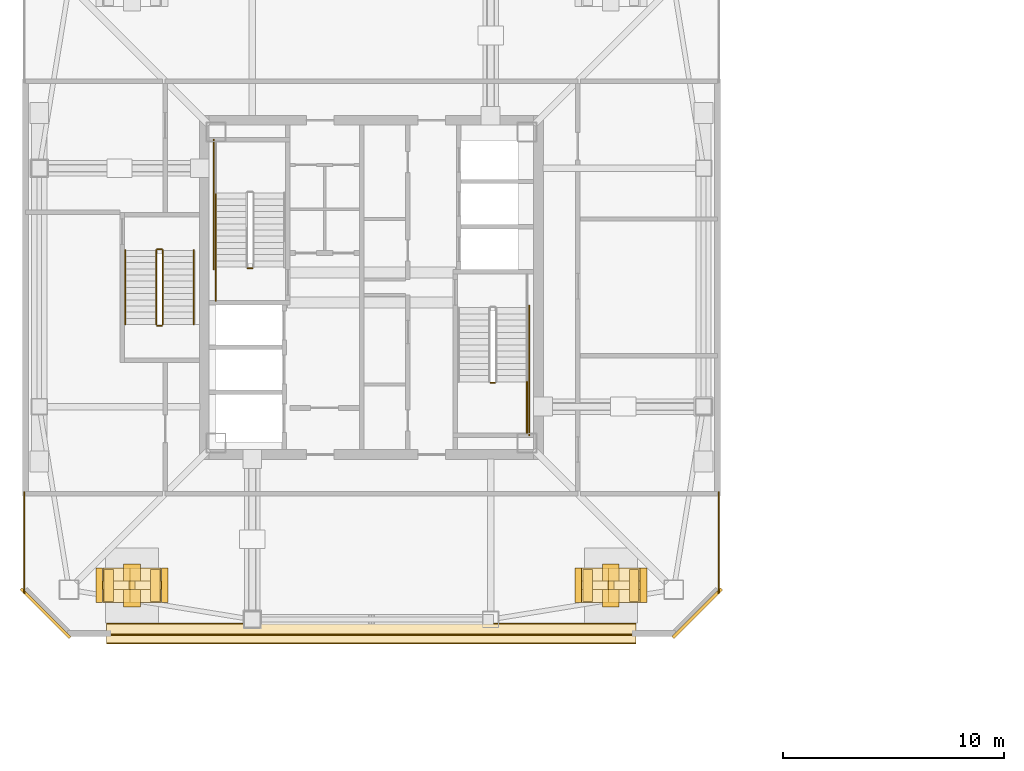
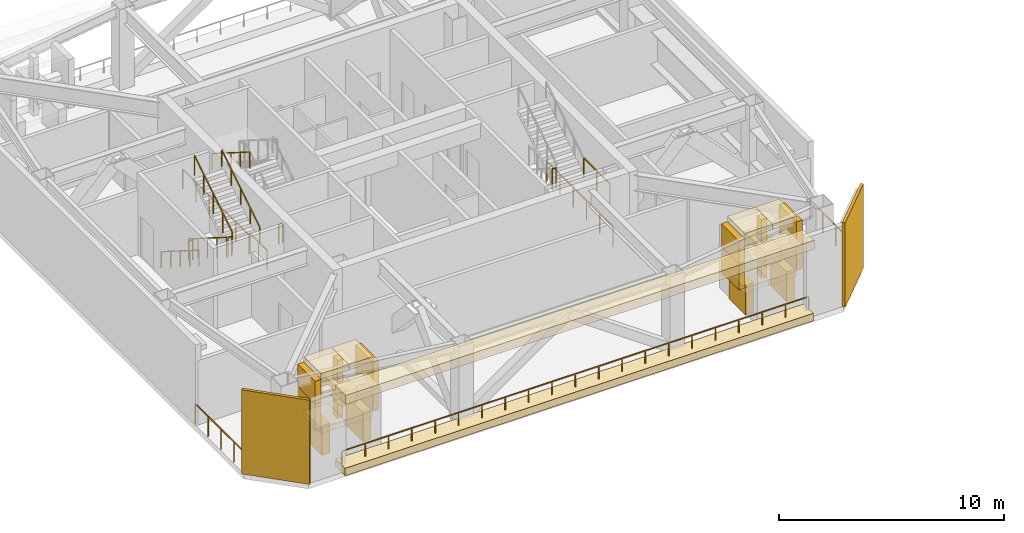
# One storey, part 10 of 15: 30 coverings, 16 railings.
"""IFC4 building model written with IfcOpenShell, lengths in metres."""

from ifc_helpers import new_model, si_unit, direction, frame, origin, origin_2d, place, context, subcontext, project, spatial, rectangle, extrude, material, layer, layer_set, type_object, element, save


model = new_model("IFC4")

# Units and contexts
model_context = context("Model", 3, precision=1e-05, world=origin(), true_north=direction((0.0, 1.0)))
body_context = subcontext(model_context, "Body", "Model", "MODEL_VIEW")
ifc_project = project(units=[si_unit("LENGTHUNIT", "METRE"), si_unit("AREAUNIT", "SQUARE_METRE"), si_unit("VOLUMEUNIT", "CUBIC_METRE"), si_unit("PLANEANGLEUNIT", "RADIAN"), si_unit("MASSUNIT", "GRAM", prefix="KILO")], contexts=[model_context])

# Site, building, storey
site_placement = place(None, origin())
site = spatial("IfcSite", under=ifc_project, at=site_placement, CompositionType="ELEMENT")
building_placement = place(site_placement, origin())
building = spatial("IfcBuilding", under=site, at=building_placement, Name="Tashvorn Skyway Center", CompositionType="ELEMENT")
storey_placement = place(building_placement, frame((0.0, 0.0, 246.800048828125)))
storey = spatial("IfcBuildingStorey", under=building, at=storey_placement, Name="L67", CompositionType="ELEMENT", Elevation=246.800048828125)

# Coverings
ifc_material_1 = material(Name="Perforated ceramic-coated bronze aluminium solar screen", Category="aluminium")
ifc_layer_1 = layer(ifc_material_1, 0.260009765625)
ifc_layer_set_1 = layer_set([ifc_layer_1], Name="Perforated ceramic-coated bronze aluminium solar screen")
covering_type_1 = type_object("IfcCoveringType", Name="COV-CROWN-SCREEN", PredefinedType="CLADDING", material=ifc_layer_set_1)
covering_1_placement = place(storey_placement, frame((32.628173828125, 18.5, 2.752197265625), z_axis=(0.0, 0.0, 1.0), x_axis=(1.0, 0.0, 0.0)))
element("IfcCovering", 1, at=covering_1_placement, inside=storey, type_object=covering_type_1, Name="Tower 1 L67 Wind Turbine 1 Venturi Shroud Facet 1", PredefinedType="CLADDING", context=body_context, shape_type="SweptSolid", body=[
    extrude(rectangle(XDim=0.300048828125, YDim=1.550048828125, at=origin_2d()), origin(), (0.0, 0.0, 1.0), 1.419921875),
])
for number, where, z_axis, x_axis, name in (
    (2, (31.76220703125, 18.5, 4.17822265625), (0.0, 0.0, 1.0), (1.0, 0.0, 0.0), "Tower 1 L67 Wind Turbine 1 Venturi Shroud Facet 2"),
    (3, (30.53759765625, 18.5, 4.17822265625), (0.0, 0.0, 1.0), (1.0, 0.0, 0.0), "Tower 1 L67 Wind Turbine 1 Venturi Shroud Facet 3"),
):
    element("IfcCovering", number, at=place(storey_placement, frame(where, z_axis=z_axis, x_axis=x_axis)), inside=storey, type_object=covering_type_1, Name=name, PredefinedType="CLADDING", context=body_context, shape_type="SweptSolid", body=[
        extrude(rectangle(XDim=1.419921875, YDim=1.550048828125, at=origin_2d()), origin(), (0.0, 0.0, 1.0), 0.300048828125),
    ])
for number, where, z_axis, x_axis, name in (
    (4, (29.671875, 18.5, 2.752197265625), (0.0, 0.0, 1.0), (1.0, 0.0, 0.0), "Tower 1 L67 Wind Turbine 1 Venturi Shroud Facet 4"),
    (5, (29.671875, 18.5, 1.527587890625), (0.0, 0.0, 1.0), (1.0, 0.0, 0.0), "Tower 1 L67 Wind Turbine 1 Venturi Shroud Facet 5"),
):
    element("IfcCovering", number, at=place(storey_placement, frame(where, z_axis=z_axis, x_axis=x_axis)), inside=storey, type_object=covering_type_1, Name=name, PredefinedType="CLADDING", context=body_context, shape_type="SweptSolid", body=[
        extrude(rectangle(XDim=0.300048828125, YDim=1.550048828125, at=origin_2d()), origin(), (0.0, 0.0, 1.0), 1.419921875),
    ])
for number, where, z_axis, x_axis, name in (
    (6, (30.53759765625, 18.5, 1.2216796875), (0.0, 0.0, 1.0), (1.0, 0.0, 0.0), "Tower 1 L67 Wind Turbine 1 Venturi Shroud Facet 6"),
    (7, (31.76220703125, 18.5, 1.2216796875), (0.0, 0.0, 1.0), (1.0, 0.0, 0.0), "Tower 1 L67 Wind Turbine 1 Venturi Shroud Facet 7"),
):
    element("IfcCovering", number, at=place(storey_placement, frame(where, z_axis=z_axis, x_axis=x_axis)), inside=storey, type_object=covering_type_1, Name=name, PredefinedType="CLADDING", context=body_context, shape_type="SweptSolid", body=[
        extrude(rectangle(XDim=1.419921875, YDim=1.550048828125, at=origin_2d()), origin(), (0.0, 0.0, 1.0), 0.300048828125),
    ])
covering_2_placement = place(storey_placement, frame((32.628173828125, 18.5, 1.527587890625), z_axis=(0.0, 0.0, 1.0), x_axis=(1.0, 0.0, 0.0)))
element("IfcCovering", 8, at=covering_2_placement, inside=storey, type_object=covering_type_1, Name="Tower 1 L67 Wind Turbine 1 Venturi Shroud Facet 8", PredefinedType="CLADDING", context=body_context, shape_type="SweptSolid", body=[
    extrude(rectangle(XDim=0.300048828125, YDim=1.550048828125, at=origin_2d()), origin(), (0.0, 0.0, 1.0), 1.419921875),
])
covering_3_placement = place(storey_placement, frame((31.14990234375, 18.5, 1.27001953125), z_axis=(0.0, 0.0, 1.0), x_axis=(1.0, 0.0, 0.0)))
element("IfcCovering", 9, at=covering_3_placement, inside=storey, type_object=covering_type_1, Name="Tower 1 L67 Wind Turbine 1 Vertical Rotor Blades", PredefinedType="CLADDING", context=body_context, shape_type="SweptSolid", body=[
    extrude(rectangle(XDim=0.280029296875, YDim=0.39990234375, at=origin_2d()), origin(), (0.0, 0.0, 1.0), 3.159912109375),
])
covering_4_placement = place(storey_placement, frame((31.14990234375, 18.5, 2.7099609375), z_axis=(0.0, 0.0, 1.0), x_axis=(1.0, 0.0, 0.0)))
element("IfcCovering", 10, at=covering_4_placement, inside=storey, type_object=covering_type_1, Name="Tower 1 L67 Wind Turbine 1 Horizontal Rotor Blades", PredefinedType="CLADDING", context=body_context, shape_type="SweptSolid", body=[
    extrude(rectangle(XDim=3.159912109375, YDim=0.39990234375, at=origin_2d()), origin(), (0.0, 0.0, 1.0), 0.280029296875),
])
covering_5_placement = place(storey_placement, frame((54.328125, 18.5, 2.752197265625), z_axis=(0.0, 0.0, 1.0), x_axis=(1.0, 0.0, 0.0)))
element("IfcCovering", 11, at=covering_5_placement, inside=storey, type_object=covering_type_1, Name="Tower 1 L67 Wind Turbine 2 Venturi Shroud Facet 1", PredefinedType="CLADDING", context=body_context, shape_type="SweptSolid", body=[
    extrude(rectangle(XDim=0.300048828125, YDim=1.550048828125, at=origin_2d()), origin(), (0.0, 0.0, 1.0), 1.419921875),
])
for number, where, z_axis, x_axis, name in (
    (12, (53.46240234375, 18.5, 4.17822265625), (0.0, 0.0, 1.0), (1.0, 0.0, 0.0), "Tower 1 L67 Wind Turbine 2 Venturi Shroud Facet 2"),
    (13, (52.23779296875, 18.5, 4.17822265625), (0.0, 0.0, 1.0), (1.0, 0.0, 0.0), "Tower 1 L67 Wind Turbine 2 Venturi Shroud Facet 3"),
):
    element("IfcCovering", number, at=place(storey_placement, frame(where, z_axis=z_axis, x_axis=x_axis)), inside=storey, type_object=covering_type_1, Name=name, PredefinedType="CLADDING", context=body_context, shape_type="SweptSolid", body=[
        extrude(rectangle(XDim=1.419921875, YDim=1.550048828125, at=origin_2d()), origin(), (0.0, 0.0, 1.0), 0.300048828125),
    ])
for number, where, z_axis, x_axis, name in (
    (14, (51.371826171875, 18.5, 2.752197265625), (0.0, 0.0, 1.0), (1.0, 0.0, 0.0), "Tower 1 L67 Wind Turbine 2 Venturi Shroud Facet 4"),
    (15, (51.371826171875, 18.5, 1.527587890625), (0.0, 0.0, 1.0), (1.0, 0.0, 0.0), "Tower 1 L67 Wind Turbine 2 Venturi Shroud Facet 5"),
):
    element("IfcCovering", number, at=place(storey_placement, frame(where, z_axis=z_axis, x_axis=x_axis)), inside=storey, type_object=covering_type_1, Name=name, PredefinedType="CLADDING", context=body_context, shape_type="SweptSolid", body=[
        extrude(rectangle(XDim=0.300048828125, YDim=1.550048828125, at=origin_2d()), origin(), (0.0, 0.0, 1.0), 1.419921875),
    ])
for number, where, z_axis, x_axis, name in (
    (16, (52.23779296875, 18.5, 1.2216796875), (0.0, 0.0, 1.0), (1.0, 0.0, 0.0), "Tower 1 L67 Wind Turbine 2 Venturi Shroud Facet 6"),
    (17, (53.46240234375, 18.5, 1.2216796875), (0.0, 0.0, 1.0), (1.0, 0.0, 0.0), "Tower 1 L67 Wind Turbine 2 Venturi Shroud Facet 7"),
):
    element("IfcCovering", number, at=place(storey_placement, frame(where, z_axis=z_axis, x_axis=x_axis)), inside=storey, type_object=covering_type_1, Name=name, PredefinedType="CLADDING", context=body_context, shape_type="SweptSolid", body=[
        extrude(rectangle(XDim=1.419921875, YDim=1.550048828125, at=origin_2d()), origin(), (0.0, 0.0, 1.0), 0.300048828125),
    ])
covering_6_placement = place(storey_placement, frame((54.328125, 18.5, 1.527587890625), z_axis=(0.0, 0.0, 1.0), x_axis=(1.0, 0.0, 0.0)))
element("IfcCovering", 18, at=covering_6_placement, inside=storey, type_object=covering_type_1, Name="Tower 1 L67 Wind Turbine 2 Venturi Shroud Facet 8", PredefinedType="CLADDING", context=body_context, shape_type="SweptSolid", body=[
    extrude(rectangle(XDim=0.300048828125, YDim=1.550048828125, at=origin_2d()), origin(), (0.0, 0.0, 1.0), 1.419921875),
])
covering_7_placement = place(storey_placement, frame((52.85009765625, 18.5, 1.27001953125), z_axis=(0.0, 0.0, 1.0), x_axis=(1.0, 0.0, 0.0)))
element("IfcCovering", 19, at=covering_7_placement, inside=storey, type_object=covering_type_1, Name="Tower 1 L67 Wind Turbine 2 Vertical Rotor Blades", PredefinedType="CLADDING", context=body_context, shape_type="SweptSolid", body=[
    extrude(rectangle(XDim=0.280029296875, YDim=0.39990234375, at=origin_2d()), origin(), (0.0, 0.0, 1.0), 3.159912109375),
])
covering_8_placement = place(storey_placement, frame((52.85009765625, 18.5, 2.7099609375), z_axis=(0.0, 0.0, 1.0), x_axis=(1.0, 0.0, 0.0)))
element("IfcCovering", 20, at=covering_8_placement, inside=storey, type_object=covering_type_1, Name="Tower 1 L67 Wind Turbine 2 Horizontal Rotor Blades", PredefinedType="CLADDING", context=body_context, shape_type="SweptSolid", body=[
    extrude(rectangle(XDim=3.159912109375, YDim=0.39990234375, at=origin_2d()), origin(), (0.0, 0.0, 1.0), 0.280029296875),
])
ifc_material_2 = material(Name="Precast concrete C40/50", Category="concrete")
ifc_layer_2 = layer(ifc_material_2, 0.35009765625)
ifc_layer_set_2 = layer_set([ifc_layer_2], Name="Precast concrete C40/50")
covering_type_2 = type_object("IfcCoveringType", Name="COV-STONE-TRIM", PredefinedType="CLADDING", material=ifc_layer_set_2)
covering_9_placement = place(storey_placement, frame((42.0, 16.320068359375, 3.89990234375), z_axis=(0.0, 0.0, 1.0), x_axis=(-1.0, 0.0, 0.0)))
element("IfcCovering", 21, at=covering_9_placement, inside=storey, type_object=covering_type_2, Name="Tower 1 L67 South Venturi Terracotta Upper Cowl", PredefinedType="CLADDING", context=body_context, shape_type="SweptSolid", body=[
    extrude(rectangle(XDim=24.0, YDim=0.949951171875, at=origin_2d()), origin(), (0.0, 0.0, 1.0), 0.47998046875),
])
covering_10_placement = place(storey_placement, frame((42.0, 16.320068359375, 0.0), z_axis=(0.0, 0.0, 1.0), x_axis=(-1.0, 0.0, 0.0)))
element("IfcCovering", 22, at=covering_10_placement, inside=storey, type_object=covering_type_2, Name="Tower 1 L67 South Venturi Limestone Sill Cowl", PredefinedType="CLADDING", context=body_context, shape_type="SweptSolid", body=[
    extrude(rectangle(XDim=24.0, YDim=0.85009765625, at=origin_2d()), origin(), (0.0, 0.0, 1.0), 0.39990234375),
])
for number, where, z_axis, x_axis, name in (
    (23, (27.22998046875, 17.22998046875, 0.02001953125), (0.0, 0.0, 1.0), (-0.707106781187, 0.707106781187, 0.0), "Tower 1 L67 SW Mojave Limestone Corner Quoin"),
    (24, (56.77001953125, 17.22998046875, 0.02001953125), (0.0, 0.0, 1.0), (0.707106781187, 0.707106781187, 0.0), "Tower 1 L67 SE Mojave Limestone Corner Quoin"),
):
    element("IfcCovering", number, at=place(storey_placement, frame(where, z_axis=z_axis, x_axis=x_axis)), inside=storey, type_object=covering_type_2, Name=name, PredefinedType="CLADDING", context=body_context, shape_type="SweptSolid", body=[
        extrude(rectangle(XDim=3.1298828125, YDim=0.139892578125, at=origin_2d()), origin(), (0.0, 0.0, 1.0), 4.56005859375),
    ])
for number, where, z_axis, x_axis, name in (
    (25, (30.10009765625, 18.5, 0.0), (0.0, 0.0, 1.0), (1.0, 0.0, 0.0), "Tower 1 L67 Wind Turbine 1 Support Cradle 1"),
    (26, (32.199951171875, 18.5, 0.0), (0.0, 0.0, 1.0), (1.0, 0.0, 0.0), "Tower 1 L67 Wind Turbine 1 Support Cradle 2"),
):
    element("IfcCovering", number, at=place(storey_placement, frame(where, z_axis=z_axis, x_axis=x_axis)), inside=storey, type_object=covering_type_2, Name=name, PredefinedType="CLADDING", context=body_context, shape_type="SweptSolid", body=[
        extrude(rectangle(XDim=0.419921875, YDim=1.449951171875, at=origin_2d()), origin(), (0.0, 0.0, 1.0), 1.60009765625),
    ])
covering_11_placement = place(storey_placement, frame((31.14990234375, 18.5, 2.4697265625), z_axis=(0.0, 0.0, 1.0), x_axis=(1.0, 0.0, 0.0)))
element("IfcCovering", 27, at=covering_11_placement, inside=storey, type_object=covering_type_2, Name="Tower 1 L67 Wind Turbine 1 Nacelle Hub", PredefinedType="CLADDING", context=body_context, shape_type="SweptSolid", body=[
    extrude(rectangle(XDim=0.760009765625, YDim=1.949951171875, at=origin_2d()), origin(), (0.0, 0.0, 1.0), 0.760009765625),
])
for number, where, z_axis, x_axis, name in (
    (28, (51.800048828125, 18.5, 0.0), (0.0, 0.0, 1.0), (1.0, 0.0, 0.0), "Tower 1 L67 Wind Turbine 2 Support Cradle 1"),
    (29, (53.89990234375, 18.5, 0.0), (0.0, 0.0, 1.0), (1.0, 0.0, 0.0), "Tower 1 L67 Wind Turbine 2 Support Cradle 2"),
):
    element("IfcCovering", number, at=place(storey_placement, frame(where, z_axis=z_axis, x_axis=x_axis)), inside=storey, type_object=covering_type_2, Name=name, PredefinedType="CLADDING", context=body_context, shape_type="SweptSolid", body=[
        extrude(rectangle(XDim=0.419921875, YDim=1.449951171875, at=origin_2d()), origin(), (0.0, 0.0, 1.0), 1.60009765625),
    ])
covering_12_placement = place(storey_placement, frame((52.85009765625, 18.5, 2.4697265625), z_axis=(0.0, 0.0, 1.0), x_axis=(1.0, 0.0, 0.0)))
element("IfcCovering", 30, at=covering_12_placement, inside=storey, type_object=covering_type_2, Name="Tower 1 L67 Wind Turbine 2 Nacelle Hub", PredefinedType="CLADDING", context=body_context, shape_type="SweptSolid", body=[
    extrude(rectangle(XDim=0.760009765625, YDim=1.949951171875, at=origin_2d()), origin(), (0.0, 0.0, 1.0), 0.760009765625),
])

# Railings
ifc_material_3 = material(Name="Galvanized steel S355", Category="steel")
railing_type_1 = type_object("IfcRailingType", Name="RAIL-GUARD-1120", PredefinedType="GUARDRAIL", material=ifc_material_3)
railing_1_placement = place(storey_placement, frame((53.9599609375, 16.260009765625, 0.0)))
element("IfcRailing", 31, at=railing_1_placement, inside=storey, type_object=railing_type_1, Name="L67 Tower 1 L67 Wind Slot Guardrail 01", PredefinedType="GUARDRAIL", context=body_context, shape_type="SweptSolid", body=[
    extrude(rectangle(XDim=0.048095703125, YDim=0.048095703125, at=origin_2d()), frame((0.0, 0.0, 1.09619140625), z_axis=(-1.0, 0.0, 0.0), x_axis=(0.0, -1.0, 0.0)), (0.0, 0.0, 1.0), 23.919921875),
    extrude(rectangle(XDim=0.0419921875, YDim=0.0419921875, at=origin_2d()), origin(), (0.0, 0.0, 1.0), 1.072021484375),
    extrude(rectangle(XDim=0.0419921875, YDim=0.0419921875, at=origin_2d()), frame((-1.196044921875, 0.0, 0.0)), (0.0, 0.0, 1.0), 1.072021484375),
    extrude(rectangle(XDim=0.0419921875, YDim=0.0419921875, at=origin_2d()), frame((-2.39208984375, 0.0, 0.0)), (0.0, 0.0, 1.0), 1.072021484375),
    extrude(rectangle(XDim=0.0419921875, YDim=0.0419921875, at=origin_2d()), frame((-3.587890625, 0.0, 0.0)), (0.0, 0.0, 1.0), 1.072021484375),
    extrude(rectangle(XDim=0.0419921875, YDim=0.0419921875, at=origin_2d()), frame((-4.783935546875, 0.0, 0.0)), (0.0, 0.0, 1.0), 1.072021484375),
    extrude(rectangle(XDim=0.0419921875, YDim=0.0419921875, at=origin_2d()), frame((-5.97998046875, 0.0, 0.0)), (0.0, 0.0, 1.0), 1.072021484375),
    extrude(rectangle(XDim=0.0419921875, YDim=0.0419921875, at=origin_2d()), frame((-7.176025390625, 0.0, 0.0)), (0.0, 0.0, 1.0), 1.072021484375),
    extrude(rectangle(XDim=0.0419921875, YDim=0.0419921875, at=origin_2d()), frame((-8.3720703125, 0.0, 0.0)), (0.0, 0.0, 1.0), 1.072021484375),
    extrude(rectangle(XDim=0.0419921875, YDim=0.0419921875, at=origin_2d()), frame((-9.56787109375, 0.0, 0.0)), (0.0, 0.0, 1.0), 1.072021484375),
    extrude(rectangle(XDim=0.0419921875, YDim=0.0419921875, at=origin_2d()), frame((-10.763916015625, 0.0, 0.0)), (0.0, 0.0, 1.0), 1.072021484375),
    extrude(rectangle(XDim=0.0419921875, YDim=0.0419921875, at=origin_2d()), frame((-11.9599609375, 0.0, 0.0)), (0.0, 0.0, 1.0), 1.072021484375),
    extrude(rectangle(XDim=0.0419921875, YDim=0.0419921875, at=origin_2d()), frame((-13.156005859375, 0.0, 0.0)), (0.0, 0.0, 1.0), 1.072021484375),
    extrude(rectangle(XDim=0.0419921875, YDim=0.0419921875, at=origin_2d()), frame((-14.35205078125, 0.0, 0.0)), (0.0, 0.0, 1.0), 1.072021484375),
    extrude(rectangle(XDim=0.0419921875, YDim=0.0419921875, at=origin_2d()), frame((-15.5478515625, 0.0, 0.0)), (0.0, 0.0, 1.0), 1.072021484375),
    extrude(rectangle(XDim=0.0419921875, YDim=0.0419921875, at=origin_2d()), frame((-16.743896484375, 0.0, 0.0)), (0.0, 0.0, 1.0), 1.072021484375),
    extrude(rectangle(XDim=0.0419921875, YDim=0.0419921875, at=origin_2d()), frame((-17.93994140625, 0.0, 0.0)), (0.0, 0.0, 1.0), 1.072021484375),
    extrude(rectangle(XDim=0.0419921875, YDim=0.0419921875, at=origin_2d()), frame((-19.135986328125, 0.0, 0.0)), (0.0, 0.0, 1.0), 1.072021484375),
    extrude(rectangle(XDim=0.0419921875, YDim=0.0419921875, at=origin_2d()), frame((-20.33203125, 0.0, 0.0)), (0.0, 0.0, 1.0), 1.072021484375),
    extrude(rectangle(XDim=0.0419921875, YDim=0.0419921875, at=origin_2d()), frame((-21.52783203125, 0.0, 0.0)), (0.0, 0.0, 1.0), 1.072021484375),
    extrude(rectangle(XDim=0.0419921875, YDim=0.0419921875, at=origin_2d()), frame((-22.723876953125, 0.0, 0.0)), (0.0, 0.0, 1.0), 1.072021484375),
    extrude(rectangle(XDim=0.0419921875, YDim=0.0419921875, at=origin_2d()), frame((-23.919921875, 0.0, 0.0)), (0.0, 0.0, 1.0), 1.072021484375),
])
railing_2_placement = place(storey_placement, frame((26.260009765625, 18.139892578125, 0.0)))
element("IfcRailing", 32, at=railing_2_placement, inside=storey, type_object=railing_type_1, Name="L67 Tower 1 L67 Breezeway Guardrail A 01", PredefinedType="GUARDRAIL", context=body_context, shape_type="SweptSolid", body=[
    extrude(rectangle(XDim=0.048095703125, YDim=0.048095703125, at=origin_2d()), frame((0.0, 0.0, 1.09619140625), z_axis=(0.0, 1.0, 0.0), x_axis=(-1.0, 0.0, 0.0)), (0.0, 0.0, 1.0), 4.570068359375),
    extrude(rectangle(XDim=0.0419921875, YDim=0.0419921875, at=origin_2d()), origin(), (0.0, 0.0, 1.0), 1.072021484375),
    extrude(rectangle(XDim=0.0419921875, YDim=0.0419921875, at=origin_2d()), frame((0.0, 1.142578125, 0.0)), (0.0, 0.0, 1.0), 1.072021484375),
    extrude(rectangle(XDim=0.0419921875, YDim=0.0419921875, at=origin_2d()), frame((0.0, 2.28515625, 0.0)), (0.0, 0.0, 1.0), 1.072021484375),
    extrude(rectangle(XDim=0.0419921875, YDim=0.0419921875, at=origin_2d()), frame((0.0, 3.427490234375, 0.0)), (0.0, 0.0, 1.0), 1.072021484375),
    extrude(rectangle(XDim=0.0419921875, YDim=0.0419921875, at=origin_2d()), frame((0.0, 4.570068359375, 0.0)), (0.0, 0.0, 1.0), 1.072021484375),
])
railing_3_placement = place(storey_placement, frame((57.739990234375, 22.7099609375, 0.0)))
element("IfcRailing", 33, at=railing_3_placement, inside=storey, type_object=railing_type_1, Name="L67 Tower 1 L67 Breezeway Guardrail B 01", PredefinedType="GUARDRAIL", context=body_context, shape_type="SweptSolid", body=[
    extrude(rectangle(XDim=0.048095703125, YDim=0.048095703125, at=origin_2d()), frame((0.0, 0.0, 1.09619140625), z_axis=(0.0, -1.0, 0.0), x_axis=(1.0, 0.0, 0.0)), (0.0, 0.0, 1.0), 4.570068359375),
    extrude(rectangle(XDim=0.0419921875, YDim=0.0419921875, at=origin_2d()), origin(), (0.0, 0.0, 1.0), 1.072021484375),
    extrude(rectangle(XDim=0.0419921875, YDim=0.0419921875, at=origin_2d()), frame((0.0, -1.142578125, 0.0)), (0.0, 0.0, 1.0), 1.072021484375),
    extrude(rectangle(XDim=0.0419921875, YDim=0.0419921875, at=origin_2d()), frame((0.0, -2.28515625, 0.0)), (0.0, 0.0, 1.0), 1.072021484375),
    extrude(rectangle(XDim=0.0419921875, YDim=0.0419921875, at=origin_2d()), frame((0.0, -3.427490234375, 0.0)), (0.0, 0.0, 1.0), 1.072021484375),
    extrude(rectangle(XDim=0.0419921875, YDim=0.0419921875, at=origin_2d()), frame((0.0, -4.570068359375, 0.0)), (0.0, 0.0, 1.0), 1.072021484375),
])
ifc_material_4 = material(Name="Brushed stainless steel 316", Category="steel")
railing_type_2 = type_object("IfcRailingType", Name="RAIL-HAND-920", PredefinedType="HANDRAIL", material=ifc_material_4)
railing_4_placement = place(storey_placement, frame((34.949951171875, 36.280029296875, 2.476806640625)))
element("IfcRailing", 34, at=railing_4_placement, inside=storey, type_object=railing_type_2, Name="L67 ST-T1-1 stair handrail 2", PredefinedType="HANDRAIL", context=body_context, shape_type="SweptSolid", body=[
    extrude(rectangle(XDim=0.048095703125, YDim=0.048095703125, at=origin_2d()), frame((0.0, 0.0, 0.8759765625), z_axis=(0.0, -0.845389635667, 0.534150132366), x_axis=(1.0, 0.0, 0.0)), (0.0, 0.0, 1.0), 3.974609375),
    extrude(rectangle(XDim=0.0419921875, YDim=0.0419921875, at=origin_2d()), origin(), (0.0, 0.0, 1.0), 0.851806640625),
    extrude(rectangle(XDim=0.0419921875, YDim=0.0419921875, at=origin_2d()), frame((0.0, -0.840087890625, 0.53076171875)), (0.0, 0.0, 1.0), 0.851806640625),
    extrude(rectangle(XDim=0.0419921875, YDim=0.0419921875, at=origin_2d()), frame((0.0, -1.68017578125, 1.0615234375)), (0.0, 0.0, 1.0), 0.851806640625),
    extrude(rectangle(XDim=0.0419921875, YDim=0.0419921875, at=origin_2d()), frame((0.0, -2.52001953125, 1.59228515625)), (0.0, 0.0, 1.0), 0.851806640625),
    extrude(rectangle(XDim=0.0419921875, YDim=0.0419921875, at=origin_2d()), frame((0.0, -3.360107421875, 2.123046875)), (0.0, 0.0, 1.0), 0.851806640625),
])
railing_5_placement = place(storey_placement, frame((30.85009765625, 33.679931640625, 0.1767578125)))
element("IfcRailing", 35, at=railing_5_placement, inside=storey, type_object=railing_type_2, Name="L67 ST-T1-3 stair handrail 1", PredefinedType="HANDRAIL", context=body_context, shape_type="SweptSolid", body=[
    extrude(rectangle(XDim=0.048095703125, YDim=0.048095703125, at=origin_2d()), frame((0.0, 0.0, 0.8759765625), z_axis=(0.0, -0.845344368971, 0.534221768416), x_axis=(1.0, 0.0, 0.0)), (0.0, 0.0, 1.0), 3.974609375),
    extrude(rectangle(XDim=0.0419921875, YDim=0.0419921875, at=origin_2d()), origin(), (0.0, 0.0, 1.0), 0.851806640625),
    extrude(rectangle(XDim=0.0419921875, YDim=0.0419921875, at=origin_2d()), frame((0.0, -0.83984375, 0.53076171875)), (0.0, 0.0, 1.0), 0.851806640625),
    extrude(rectangle(XDim=0.0419921875, YDim=0.0419921875, at=origin_2d()), frame((0.0, -1.679931640625, 1.0615234375)), (0.0, 0.0, 1.0), 0.851806640625),
    extrude(rectangle(XDim=0.0419921875, YDim=0.0419921875, at=origin_2d()), frame((0.0, -2.52001953125, 1.592529296875)), (0.0, 0.0, 1.0), 0.851806640625),
    extrude(rectangle(XDim=0.0419921875, YDim=0.0419921875, at=origin_2d()), frame((0.0, -3.35986328125, 2.123291015625)), (0.0, 0.0, 1.0), 0.851806640625),
])
railing_6_placement = place(storey_placement, frame((33.949951171875, 30.320068359375, 2.476806640625)))
element("IfcRailing", 36, at=railing_6_placement, inside=storey, type_object=railing_type_2, Name="L67 ST-T1-3 stair handrail 2", PredefinedType="HANDRAIL", context=body_context, shape_type="SweptSolid", body=[
    extrude(rectangle(XDim=0.048095703125, YDim=0.048095703125, at=origin_2d()), frame((0.0, 0.0, 0.8759765625), z_axis=(0.0, 0.845372108799, 0.534177870812), x_axis=(-1.0, 0.0, 0.0)), (0.0, 0.0, 1.0), 3.974365234375),
    extrude(rectangle(XDim=0.0419921875, YDim=0.0419921875, at=origin_2d()), origin(), (0.0, 0.0, 1.0), 0.851806640625),
    extrude(rectangle(XDim=0.0419921875, YDim=0.0419921875, at=origin_2d()), frame((0.0, 0.83984375, 0.53076171875)), (0.0, 0.0, 1.0), 0.851806640625),
    extrude(rectangle(XDim=0.0419921875, YDim=0.0419921875, at=origin_2d()), frame((0.0, 1.679931640625, 1.0615234375)), (0.0, 0.0, 1.0), 0.851806640625),
    extrude(rectangle(XDim=0.0419921875, YDim=0.0419921875, at=origin_2d()), frame((0.0, 2.52001953125, 1.59228515625)), (0.0, 0.0, 1.0), 0.851806640625),
    extrude(rectangle(XDim=0.0419921875, YDim=0.0419921875, at=origin_2d()), frame((0.0, 3.35986328125, 2.123046875)), (0.0, 0.0, 1.0), 0.851806640625),
])
ifc_material_5 = material(Name="Painted galvanized steel S355", Category="steel")
railing_type_3 = type_object("IfcRailingType", Name="RAIL-STGUARD-1100", PredefinedType="GUARDRAIL", material=ifc_material_5)
railing_7_placement = place(storey_placement, frame((36.60009765625, 32.8701171875, 0.0)))
element("IfcRailing", 37, at=railing_7_placement, inside=storey, type_object=railing_type_3, Name="L67 ST-T1-1 stair guard 5", PredefinedType="GUARDRAIL", context=body_context, shape_type="SweptSolid", body=[
    extrude(rectangle(XDim=0.048095703125, YDim=0.048095703125, at=origin_2d()), frame((0.0, 0.0, 1.076171875), z_axis=(-1.0, 0.0, 0.0), x_axis=(0.0, -1.0, 0.0)), (0.0, 0.0, 1.0), 0.2001953125),
    extrude(rectangle(XDim=0.0419921875, YDim=0.0419921875, at=origin_2d()), origin(), (0.0, 0.0, 1.0), 1.052001953125),
    extrude(rectangle(XDim=0.0419921875, YDim=0.0419921875, at=origin_2d()), frame((-0.2001953125, 0.0, 0.0)), (0.0, 0.0, 1.0), 1.052001953125),
])
railing_8_placement = place(storey_placement, frame((34.949951171875, 31.39990234375, 0.0)))
element("IfcRailing", 38, at=railing_8_placement, inside=storey, type_object=railing_type_3, Name="L67 ST-T1-1 stair guard 6", PredefinedType="GUARDRAIL", context=body_context, shape_type="SweptSolid", body=[
    extrude(rectangle(XDim=0.048095703125, YDim=0.048095703125, at=origin_2d()), frame((0.0, 0.0, 1.076171875), z_axis=(0.0, 1.0, 0.0), x_axis=(-1.0, 0.0, 0.0)), (0.0, 0.0, 1.0), 1.52001953125),
    extrude(rectangle(XDim=0.0419921875, YDim=0.0419921875, at=origin_2d()), origin(), (0.0, 0.0, 1.0), 1.052001953125),
    extrude(rectangle(XDim=0.0419921875, YDim=0.0419921875, at=origin_2d()), frame((0.0, 0.760009765625, 0.0)), (0.0, 0.0, 1.0), 1.052001953125),
    extrude(rectangle(XDim=0.0419921875, YDim=0.0419921875, at=origin_2d()), frame((0.0, 1.52001953125, 0.0)), (0.0, 0.0, 1.0), 1.052001953125),
])
railing_9_placement = place(storey_placement, frame((34.85009765625, 32.820068359375, 0.0)))
element("IfcRailing", 39, at=railing_9_placement, inside=storey, type_object=railing_type_3, Name="L67 ST-T1-1 stair guard 7", PredefinedType="GUARDRAIL", context=body_context, shape_type="SweptSolid", body=[
    extrude(rectangle(XDim=0.048095703125, YDim=0.048095703125, at=origin_2d()), frame((0.0, 0.0, 1.076171875), z_axis=(0.0, 1.0, 0.0), x_axis=(-1.0, 0.0, 0.0)), (0.0, 0.0, 1.0), 5.8798828125),
    extrude(rectangle(XDim=0.0419921875, YDim=0.0419921875, at=origin_2d()), origin(), (0.0, 0.0, 1.0), 1.052001953125),
    extrude(rectangle(XDim=0.0419921875, YDim=0.0419921875, at=origin_2d()), frame((0.0, 1.176025390625, 0.0)), (0.0, 0.0, 1.0), 1.052001953125),
    extrude(rectangle(XDim=0.0419921875, YDim=0.0419921875, at=origin_2d()), frame((0.0, 2.35205078125, 0.0)), (0.0, 0.0, 1.0), 1.052001953125),
    extrude(rectangle(XDim=0.0419921875, YDim=0.0419921875, at=origin_2d()), frame((0.0, 3.52783203125, 0.0)), (0.0, 0.0, 1.0), 1.052001953125),
    extrude(rectangle(XDim=0.0419921875, YDim=0.0419921875, at=origin_2d()), frame((0.0, 4.703857421875, 0.0)), (0.0, 0.0, 1.0), 1.052001953125),
    extrude(rectangle(XDim=0.0419921875, YDim=0.0419921875, at=origin_2d()), frame((0.0, 5.8798828125, 0.0)), (0.0, 0.0, 1.0), 1.052001953125),
])
railing_10_placement = place(storey_placement, frame((47.39990234375, 27.669921875, 2.300048828125)))
element("IfcRailing", 40, at=railing_10_placement, inside=storey, type_object=railing_type_3, Name="L67 ST-T1-2 stair guard 2", PredefinedType="GUARDRAIL", context=body_context, shape_type="SweptSolid", body=[
    extrude(rectangle(XDim=0.048095703125, YDim=0.048095703125, at=origin_2d()), frame((0.0, 0.0, 1.076171875), z_axis=(1.0, 0.0, 0.0), x_axis=(0.0, 1.0, 0.0)), (0.0, 0.0, 1.0), 0.2001953125),
    extrude(rectangle(XDim=0.0419921875, YDim=0.0419921875, at=origin_2d()), origin(), (0.0, 0.0, 1.0), 1.052001953125),
    extrude(rectangle(XDim=0.0419921875, YDim=0.0419921875, at=origin_2d()), frame((0.2001953125, 0.0, 0.0)), (0.0, 0.0, 1.0), 1.052001953125),
])
railing_11_placement = place(storey_placement, frame((49.050048828125, 27.719970703125, 2.300048828125)))
element("IfcRailing", 41, at=railing_11_placement, inside=storey, type_object=railing_type_3, Name="L67 ST-T1-2 stair guard 3", PredefinedType="GUARDRAIL", context=body_context, shape_type="SweptSolid", body=[
    extrude(rectangle(XDim=0.048095703125, YDim=0.048095703125, at=origin_2d()), frame((0.0, 0.0, 1.076171875), z_axis=(0.0, -1.0, 0.0), x_axis=(1.0, 0.0, 0.0)), (0.0, 0.0, 1.0), 2.320068359375),
    extrude(rectangle(XDim=0.0419921875, YDim=0.0419921875, at=origin_2d()), origin(), (0.0, 0.0, 1.0), 1.052001953125),
    extrude(rectangle(XDim=0.0419921875, YDim=0.0419921875, at=origin_2d()), frame((0.0, -1.16015625, 0.0)), (0.0, 0.0, 1.0), 1.052001953125),
    extrude(rectangle(XDim=0.0419921875, YDim=0.0419921875, at=origin_2d()), frame((0.0, -2.320068359375, 0.0)), (0.0, 0.0, 1.0), 1.052001953125),
])
railing_12_placement = place(storey_placement, frame((49.14990234375, 31.179931640625, 0.0)))
element("IfcRailing", 42, at=railing_12_placement, inside=storey, type_object=railing_type_3, Name="L67 ST-T1-2 stair guard 7", PredefinedType="GUARDRAIL", context=body_context, shape_type="SweptSolid", body=[
    extrude(rectangle(XDim=0.048095703125, YDim=0.048095703125, at=origin_2d()), frame((0.0, 0.0, 1.076171875), z_axis=(0.0, -1.0, 0.0), x_axis=(1.0, 0.0, 0.0)), (0.0, 0.0, 1.0), 5.8798828125),
    extrude(rectangle(XDim=0.0419921875, YDim=0.0419921875, at=origin_2d()), origin(), (0.0, 0.0, 1.0), 1.052001953125),
    extrude(rectangle(XDim=0.0419921875, YDim=0.0419921875, at=origin_2d()), frame((0.0, -1.176025390625, 0.0)), (0.0, 0.0, 1.0), 1.052001953125),
    extrude(rectangle(XDim=0.0419921875, YDim=0.0419921875, at=origin_2d()), frame((0.0, -2.35205078125, 0.0)), (0.0, 0.0, 1.0), 1.052001953125),
    extrude(rectangle(XDim=0.0419921875, YDim=0.0419921875, at=origin_2d()), frame((0.0, -3.52783203125, 0.0)), (0.0, 0.0, 1.0), 1.052001953125),
    extrude(rectangle(XDim=0.0419921875, YDim=0.0419921875, at=origin_2d()), frame((0.0, -4.703857421875, 0.0)), (0.0, 0.0, 1.0), 1.052001953125),
    extrude(rectangle(XDim=0.0419921875, YDim=0.0419921875, at=origin_2d()), frame((0.0, -5.8798828125, 0.0)), (0.0, 0.0, 1.0), 1.052001953125),
])
railing_13_placement = place(storey_placement, frame((32.25, 33.679931640625, 0.1767578125)))
element("IfcRailing", 43, at=railing_13_placement, inside=storey, type_object=railing_type_3, Name="L67 ST-T1-3 stair guard 1", PredefinedType="GUARDRAIL", context=body_context, shape_type="SweptSolid", body=[
    extrude(rectangle(XDim=0.048095703125, YDim=0.048095703125, at=origin_2d()), frame((0.0, 0.0, 1.076171875), z_axis=(0.0, -0.845344368971, 0.534221768416), x_axis=(1.0, 0.0, 0.0)), (0.0, 0.0, 1.0), 3.974609375),
    extrude(rectangle(XDim=0.0419921875, YDim=0.0419921875, at=origin_2d()), origin(), (0.0, 0.0, 1.0), 1.052001953125),
    extrude(rectangle(XDim=0.0419921875, YDim=0.0419921875, at=origin_2d()), frame((0.0, -0.83984375, 0.53076171875)), (0.0, 0.0, 1.0), 1.052001953125),
    extrude(rectangle(XDim=0.0419921875, YDim=0.0419921875, at=origin_2d()), frame((0.0, -1.679931640625, 1.0615234375)), (0.0, 0.0, 1.0), 1.052001953125),
    extrude(rectangle(XDim=0.0419921875, YDim=0.0419921875, at=origin_2d()), frame((0.0, -2.52001953125, 1.592529296875)), (0.0, 0.0, 1.0), 1.052001953125),
    extrude(rectangle(XDim=0.0419921875, YDim=0.0419921875, at=origin_2d()), frame((0.0, -3.35986328125, 2.123291015625)), (0.0, 0.0, 1.0), 1.052001953125),
])
railing_14_placement = place(storey_placement, frame((32.300048828125, 30.27001953125, 2.300048828125)))
element("IfcRailing", 44, at=railing_14_placement, inside=storey, type_object=railing_type_3, Name="L67 ST-T1-3 stair guard 2", PredefinedType="GUARDRAIL", context=body_context, shape_type="SweptSolid", body=[
    extrude(rectangle(XDim=0.048095703125, YDim=0.048095703125, at=origin_2d()), frame((0.0, 0.0, 1.076171875), z_axis=(1.0, 0.0, 0.0), x_axis=(0.0, 1.0, 0.0)), (0.0, 0.0, 1.0), 0.199951171875),
    extrude(rectangle(XDim=0.0419921875, YDim=0.0419921875, at=origin_2d()), origin(), (0.0, 0.0, 1.0), 1.052001953125),
    extrude(rectangle(XDim=0.0419921875, YDim=0.0419921875, at=origin_2d()), frame((0.199951171875, 0.0, 0.0)), (0.0, 0.0, 1.0), 1.052001953125),
])
railing_15_placement = place(storey_placement, frame((32.550048828125, 30.320068359375, 2.476806640625)))
element("IfcRailing", 45, at=railing_15_placement, inside=storey, type_object=railing_type_3, Name="L67 ST-T1-3 stair guard 3", PredefinedType="GUARDRAIL", context=body_context, shape_type="SweptSolid", body=[
    extrude(rectangle(XDim=0.048095703125, YDim=0.048095703125, at=origin_2d()), frame((0.0, 0.0, 1.076171875), z_axis=(0.0, 0.845372108799, 0.534177870812), x_axis=(-1.0, 0.0, 0.0)), (0.0, 0.0, 1.0), 3.974365234375),
    extrude(rectangle(XDim=0.0419921875, YDim=0.0419921875, at=origin_2d()), origin(), (0.0, 0.0, 1.0), 1.052001953125),
    extrude(rectangle(XDim=0.0419921875, YDim=0.0419921875, at=origin_2d()), frame((0.0, 0.83984375, 0.53076171875)), (0.0, 0.0, 1.0), 1.052001953125),
    extrude(rectangle(XDim=0.0419921875, YDim=0.0419921875, at=origin_2d()), frame((0.0, 1.679931640625, 1.0615234375)), (0.0, 0.0, 1.0), 1.052001953125),
    extrude(rectangle(XDim=0.0419921875, YDim=0.0419921875, at=origin_2d()), frame((0.0, 2.52001953125, 1.59228515625)), (0.0, 0.0, 1.0), 1.052001953125),
    extrude(rectangle(XDim=0.0419921875, YDim=0.0419921875, at=origin_2d()), frame((0.0, 3.35986328125, 2.123046875)), (0.0, 0.0, 1.0), 1.052001953125),
])
railing_16_placement = place(storey_placement, frame((32.300048828125, 33.72998046875, 0.0)))
element("IfcRailing", 46, at=railing_16_placement, inside=storey, type_object=railing_type_3, Name="L67 ST-T1-3 stair guard 4", PredefinedType="GUARDRAIL", context=body_context, shape_type="SweptSolid", body=[
    extrude(rectangle(XDim=0.048095703125, YDim=0.048095703125, at=origin_2d()), frame((0.0, 0.0, 1.076171875), z_axis=(1.0, 0.0, 0.0), x_axis=(0.0, 1.0, 0.0)), (0.0, 0.0, 1.0), 0.199951171875),
    extrude(rectangle(XDim=0.0419921875, YDim=0.0419921875, at=origin_2d()), origin(), (0.0, 0.0, 1.0), 1.052001953125),
    extrude(rectangle(XDim=0.0419921875, YDim=0.0419921875, at=origin_2d()), frame((0.199951171875, 0.0, 0.0)), (0.0, 0.0, 1.0), 1.052001953125),
])

save(model, "model.ifc")
